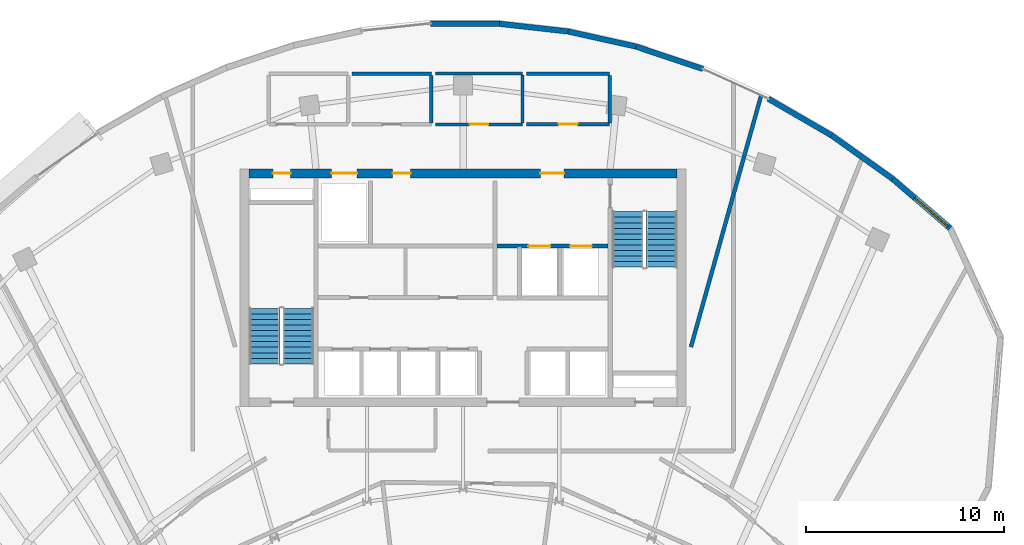
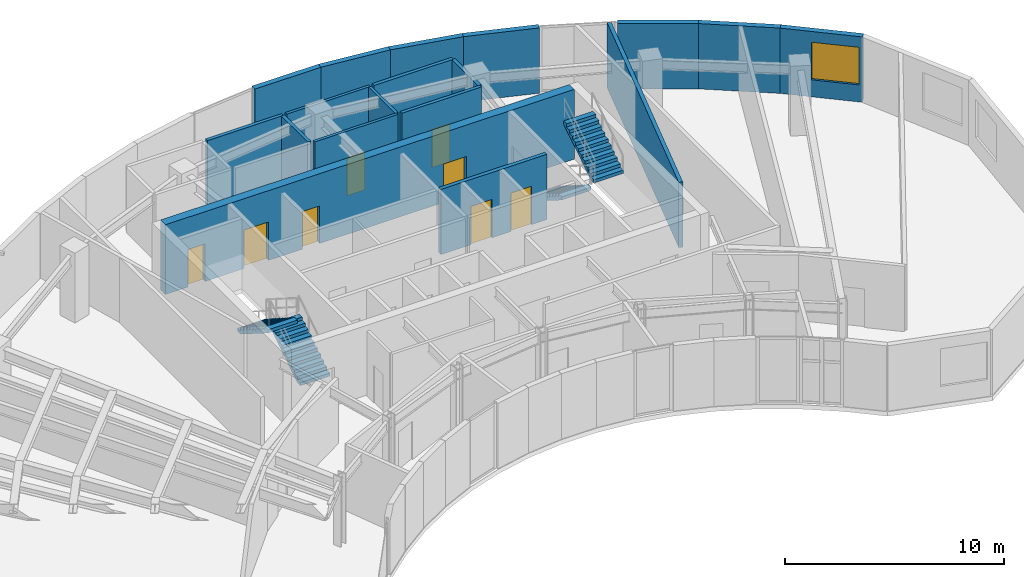
# One storey, part 10 of 12: 18 walls, 8 doors, 4 stair flights, 1 window, 9 openings, 2 elements without a shape of their own.
"""IFC4 building model written with IfcOpenShell, lengths in metres."""

from ifc_helpers import new_model, si_unit, direction, frame, frame_2d, origin, place, context, subcontext, project, spatial, polyline, rectangle, outline, extrude, source, transform, mapped, material, layer, layer_set, type_object, type_shapes, element, fill, aggregate, save


model = new_model("IFC4")

# Units and contexts
model_context = context("Model", 3, precision=1e-05, world=origin(), true_north=direction((0.0, 1.0)))
body_context = subcontext(model_context, "Body", "Model", "MODEL_VIEW")
ifc_project = project(units=[si_unit("LENGTHUNIT", "METRE"), si_unit("AREAUNIT", "SQUARE_METRE"), si_unit("VOLUMEUNIT", "CUBIC_METRE"), si_unit("PLANEANGLEUNIT", "RADIAN"), si_unit("MASSUNIT", "GRAM", prefix="KILO")], contexts=[model_context])

# Site, building, storey
site_placement = place(None, origin())
site = spatial("IfcSite", under=ifc_project, at=site_placement, CompositionType="ELEMENT")
building_placement = place(site_placement, origin())
building = spatial("IfcBuilding", under=site, at=building_placement, Name="Breltana Convention Tower", CompositionType="ELEMENT")
storey_placement = place(building_placement, frame((0.0, 0.0, 246.89990234375)))
storey = spatial("IfcBuildingStorey", under=building, at=storey_placement, Name="L60", CompositionType="ELEMENT", Elevation=246.89990234375)

# Wall, openings, doors
ifc_material_1 = material(Name="Concrete C60/75", Category="concrete")
ifc_layer_1 = layer(ifc_material_1, 0.449951171875, Name="Concrete C60/75")
ifc_layer_set_1 = layer_set([ifc_layer_1], Name="Concrete C60/75")
wall_type_1 = type_object("IfcWallType", Name="SW-CORE-450", PredefinedType="SHEAR", material=ifc_layer_set_1)
shared_shape_1 = source(origin(), body_context, "Body", "SweptSolid", [
    extrude(rectangle(XDim=21.60009765625, YDim=0.449951171875, at=frame_2d((10.800048828125, 0.0))), origin(), (0.0, 0.0, 1.0), 3.900146484375),
])
wall_1_placement = place(storey_placement, frame((37.199951171875, 71.97509765625, 0.0), z_axis=(0.0, 0.0, 1.0), x_axis=(1.0, 0.0, 0.0)))
wall_1 = element("IfcWall", 1, at=wall_1_placement, inside=storey, type_object=wall_type_1, Name="L60 North Core Shear Wall", PredefinedType="SHEAR", context=body_context, shape_type="MappedRepresentation", body=[
    mapped(shared_shape_1, transform((0.0, 0.0, 0.0), scale=1.0)),
])
opening_1_placement = place(wall_1_placement, frame((1.199951171875, 0.0, 0.0)))
opening_1 = element("IfcOpeningElement", 2, at=opening_1_placement, cuts=wall_1, Name="Opening D-18", PredefinedType="OPENING", context=body_context, shape_type="SweptSolid", body=[
    extrude(rectangle(XDim=0.89990234375, YDim=2.10009765625, at=frame_2d((0.449951171875, 1.050048828125))), frame((0.0, 0.23486328125, 0.0), z_axis=(0.0, -1.0, 0.0), x_axis=(1.0, 0.0, 0.0)), (0.0, 0.0, 1.0), 0.469970703125),
])
opening_2_placement = place(wall_1_placement, frame((14.699951171875, 0.0, 0.0)))
opening_2 = element("IfcOpeningElement", 3, at=opening_2_placement, cuts=wall_1, Name="Opening D-09", PredefinedType="OPENING", context=body_context, shape_type="SweptSolid", body=[
    extrude(rectangle(XDim=1.199951171875, YDim=2.14990234375, at=frame_2d((0.60009765625, 1.074951171875))), frame((0.0, 0.23486328125, 0.0), z_axis=(0.0, -1.0, 0.0), x_axis=(1.0, 0.0, 0.0)), (0.0, 0.0, 1.0), 0.469970703125),
])
opening_3_placement = place(wall_1_placement, frame((4.14990234375, 0.0, 0.0)))
opening_3 = element("IfcOpeningElement", 4, at=opening_3_placement, cuts=wall_1, Name="Opening LD-01", PredefinedType="OPENING", context=body_context, shape_type="SweptSolid", body=[
    extrude(rectangle(XDim=1.300048828125, YDim=2.14990234375, at=frame_2d((0.64990234375, 1.074951171875))), frame((0.0, 0.23486328125, 0.0), z_axis=(0.0, -1.0, 0.0), x_axis=(1.0, 0.0, 0.0)), (0.0, 0.0, 1.0), 0.469970703125),
])
opening_4_placement = place(wall_1_placement, frame((7.25, 0.0, 0.0)))
opening_4 = element("IfcOpeningElement", 5, at=opening_4_placement, cuts=wall_1, Name="Opening D-18", PredefinedType="OPENING", context=body_context, shape_type="SweptSolid", body=[
    extrude(rectangle(XDim=0.89990234375, YDim=2.10009765625, at=frame_2d((0.449951171875, 1.050048828125))), frame((0.0, 0.23486328125, 0.0), z_axis=(0.0, -1.0, 0.0), x_axis=(1.0, 0.0, 0.0)), (0.0, 0.0, 1.0), 0.469970703125),
])
ifc_material_2 = material(Name="Steel Riser Fire Door", Category="steel")
door_type_1 = type_object("IfcDoorType", Name="DR-FD60-900", OperationType="NOTDEFINED", PredefinedType="DOOR", material=ifc_material_2)
shared_shape_2 = source(origin(), body_context, "Body", "SweptSolid", [
    extrude(rectangle(XDim=0.89990234375, YDim=2.10009765625, at=frame_2d((0.449951171875, 1.050048828125))), frame((0.0, 0.02490234375, 0.0), z_axis=(0.0, -1.0, 0.0), x_axis=(1.0, 0.0, 0.0)), (0.0, 0.0, 1.0), 0.050048828125),
])
type_shapes(door_type_1, [shared_shape_2])
door_1_placement = place(opening_1_placement, origin())
door_1 = element("IfcDoor", 6, at=door_1_placement, inside=storey, type_object=door_type_1, Name="L60 Core Riser Access Door D-L60-RS1", OperationType="SINGLE_SWING_LEFT", OverallHeight=2.10009765625, OverallWidth=0.89990234375, PredefinedType="DOOR", context=body_context, shape_type="MappedRepresentation", body=[
    mapped(shared_shape_2, transform((0.0, 0.0, 0.0), scale=1.0)),
])
fill(opening_1, door_1)
door_2_placement = place(opening_4_placement, origin())
door_2 = element("IfcDoor", 7, at=door_2_placement, inside=storey, type_object=door_type_1, Name="L60 interior door D-L60-CRA1", OperationType="SINGLE_SWING_RIGHT", OverallHeight=2.10009765625, OverallWidth=0.89990234375, PredefinedType="DOOR", context=body_context, shape_type="MappedRepresentation", body=[
    mapped(shared_shape_2, transform((0.0, 0.0, 0.0), scale=1.0)),
])
fill(opening_4, door_2)
ifc_material_3 = material(Name="Steel Fire Lobby Door", Category="steel")
door_type_2 = type_object("IfcDoorType", Name="DR-FD120-1200", OperationType="NOTDEFINED", PredefinedType="DOOR", material=ifc_material_3)
shared_shape_3 = source(origin(), body_context, "Body", "SweptSolid", [
    extrude(rectangle(XDim=1.199951171875, YDim=2.14990234375, at=frame_2d((0.60009765625, 1.074951171875))), frame((0.0, 0.02490234375, 0.0), z_axis=(0.0, -1.0, 0.0), x_axis=(1.0, 0.0, 0.0)), (0.0, 0.0, 1.0), 0.050048828125),
])
type_shapes(door_type_2, [shared_shape_3])
door_3_placement = place(opening_2_placement, origin())
door_3 = element("IfcDoor", 8, at=door_3_placement, inside=storey, type_object=door_type_2, Name="L60 interior door D-L60-FFL-N", OperationType="SINGLE_SWING_RIGHT", OverallHeight=2.14990234375, OverallWidth=1.199951171875, PredefinedType="DOOR", context=body_context, shape_type="MappedRepresentation", body=[
    mapped(shared_shape_3, transform((0.0, 0.0, 0.0), scale=1.0)),
])
fill(opening_2, door_3)
ifc_material_4 = material(Name="Stainless Steel Brushed", Category="steel")
door_type_3 = type_object("IfcDoorType", Name="DR-LD-SRV-1300", OperationType="DOUBLE_DOOR_SLIDING", PredefinedType="DOOR", material=ifc_material_4)
shared_shape_4 = source(origin(), body_context, "Body", "SweptSolid", [
    extrude(rectangle(XDim=1.300048828125, YDim=2.14990234375, at=frame_2d((0.64990234375, 1.074951171875))), frame((0.0, 0.02490234375, 0.0), z_axis=(0.0, -1.0, 0.0), x_axis=(1.0, 0.0, 0.0)), (0.0, 0.0, 1.0), 0.050048828125),
])
type_shapes(door_type_3, [shared_shape_4])
door_4_placement = place(opening_3_placement, origin())
door_4 = element("IfcDoor", 9, at=door_4_placement, inside=storey, type_object=door_type_3, Name="L60 Lift Landing Door D-L60-LD-SV1", OperationType="DOUBLE_DOOR_SLIDING", OverallHeight=2.14990234375, OverallWidth=1.300048828125, PredefinedType="DOOR", context=body_context, shape_type="MappedRepresentation", body=[
    mapped(shared_shape_4, transform((0.0, 0.0, 0.0), scale=1.0)),
])
fill(opening_3, door_4)

# Walls
ifc_material_5 = material(Name="Limestone Buff Insulated Wall", Category="masonry")
ifc_layer_2 = layer(ifc_material_5, 0.280029296875, Name="Limestone Buff Insulated Wall")
ifc_layer_set_2 = layer_set([ifc_layer_2], Name="Limestone Buff Insulated Wall")
wall_type_2 = type_object("IfcWallType", Name="WL-EXT-NOSE-280", PredefinedType="SOLIDWALL", material=ifc_layer_set_2)
shared_shape_5 = source(origin(), body_context, "Body", "SweptSolid", [
    extrude(rectangle(XDim=3.477294921875, YDim=0.280029296875, at=frame_2d((1.73876953125, 0.0))), origin(), (0.0, 0.0, 1.0), 3.650146484375),
])
wall_2_placement = place(storey_placement, frame((46.354736328125, 79.531494140625, 0.0), z_axis=(0.0, 0.0, 1.0), x_axis=(0.999995652268, -0.002948804142, 0.0)))
element("IfcWall", 10, at=wall_2_placement, inside=storey, type_object=wall_type_2, Name="L60 curved limestone nose wall E28", PredefinedType="SOLIDWALL", context=body_context, shape_type="MappedRepresentation", body=[
    mapped(shared_shape_5, transform((0.0, 0.0, 0.0), scale=1.0)),
])
shared_shape_6 = source(origin(), body_context, "Body", "SweptSolid", [
    extrude(rectangle(XDim=3.514892578125, YDim=0.280029296875, at=frame_2d((1.75732421875, 0.0))), origin(), (0.0, 0.0, 1.0), 3.650146484375),
])
wall_3_placement = place(storey_placement, frame((53.297607421875, 79.13330078125, 0.0), z_axis=(0.0, 0.0, 1.0), x_axis=(0.976144550296, -0.217121663884, 0.0)))
element("IfcWall", 11, at=wall_3_placement, inside=storey, type_object=wall_type_2, Name="L60 curved limestone nose wall E30", PredefinedType="SOLIDWALL", context=body_context, shape_type="MappedRepresentation", body=[
    mapped(shared_shape_6, transform((0.0, 0.0, 0.0), scale=1.0)),
])
shared_shape_7 = source(origin(), body_context, "Body", "SweptSolid", [
    extrude(rectangle(XDim=3.559326171875, YDim=0.280029296875, at=frame_2d((1.77978515625, 0.0))), origin(), (0.0, 0.0, 1.0), 3.650146484375),
])
wall_4_placement = place(storey_placement, frame((56.728759765625, 78.3701171875, 0.0), z_axis=(0.0, 0.0, 1.0), x_axis=(0.947933000453, -0.31846982063, 0.0)))
element("IfcWall", 12, at=wall_4_placement, inside=storey, type_object=wall_type_2, Name="L60 curved limestone nose wall E31", PredefinedType="SOLIDWALL", context=body_context, shape_type="MappedRepresentation", body=[
    mapped(shared_shape_7, transform((0.0, 0.0, 0.0), scale=1.0)),
])
shared_shape_8 = source(origin(), body_context, "Body", "SweptSolid", [
    extrude(rectangle(XDim=3.69189453125, YDim=0.280029296875, at=frame_2d((1.845947265625, 0.0))), origin(), (0.0, 0.0, 1.0), 3.650146484375),
])
wall_5_placement = place(storey_placement, frame((63.398193359375, 75.73974609375, 0.0), z_axis=(0.0, 0.0, 1.0), x_axis=(0.86534327136, -0.501179631181, 0.0)))
element("IfcWall", 13, at=wall_5_placement, inside=storey, type_object=wall_type_2, Name="L60 curved limestone nose wall E32", PredefinedType="SOLIDWALL", context=body_context, shape_type="MappedRepresentation", body=[
    mapped(shared_shape_8, transform((0.0, 0.0, 0.0), scale=1.0)),
])

# Wall, opening, window
shared_shape_9 = source(origin(), body_context, "Body", "SweptSolid", [
    extrude(rectangle(XDim=3.833984375, YDim=0.280029296875, at=frame_2d((1.9169921875, 0.0))), origin(), (0.0, 0.0, 1.0), 3.650146484375),
])
wall_6_placement = place(storey_placement, frame((69.66650390625, 71.697265625, 0.0), z_axis=(0.0, 0.0, 1.0), x_axis=(0.75839292431, -0.651797646787, 0.0)))
wall_6 = element("IfcWall", 14, at=wall_6_placement, inside=storey, type_object=wall_type_2, Name="L60 curved limestone nose wall E34", PredefinedType="SOLIDWALL", context=body_context, shape_type="MappedRepresentation", body=[
    mapped(shared_shape_9, transform((0.0, 0.0, 0.0), scale=1.0)),
])
opening_5_placement = place(wall_6_placement, frame((1.473876953125, 0.0, 0.949951171875)))
opening_5 = element("IfcOpeningElement", 15, at=opening_5_placement, cuts=wall_6, Name="Opening W-03", PredefinedType="OPENING", context=body_context, shape_type="SweptSolid", body=[
    extrude(rectangle(XDim=2.199951171875, YDim=2.10009765625, at=frame_2d((1.10009765625, 1.050048828125))), frame((0.0, 0.14990234375, 0.0), z_axis=(0.0, -1.0, 0.0), x_axis=(1.0, 0.0, 0.0)), (0.0, 0.0, 1.0), 0.300048828125),
])
ifc_material_6 = material(Name="Glass Low-E Insulated Window", Category="glass")
window_type = type_object("IfcWindowType", Name="WN-NOSE-2200X2100", PartitioningType="TRIPLE_PANEL_VERTICAL", PredefinedType="WINDOW", material=ifc_material_6)
shared_shape_10 = source(origin(), body_context, "Body", "SweptSolid", [
    extrude(rectangle(XDim=2.199951171875, YDim=2.10009765625, at=frame_2d((1.10009765625, 1.050048828125))), frame((0.0, 0.030029296875, 0.0), z_axis=(0.0, -1.0, 0.0), x_axis=(1.0, 0.0, 0.0)), (0.0, 0.0, 1.0), 0.06005859375),
])
type_shapes(window_type, [shared_shape_10])
window_placement = place(opening_5_placement, origin())
window = element("IfcWindow", 16, at=window_placement, inside=storey, type_object=window_type, Name="L60 nose window E34", OverallHeight=2.10009765625, OverallWidth=2.199951171875, PartitioningType="TRIPLE_PANEL_VERTICAL", PredefinedType="WINDOW", context=body_context, shape_type="MappedRepresentation", body=[
    mapped(shared_shape_10, transform((0.0, 0.0, 0.0), scale=1.0)),
])
fill(opening_5, window)

# Walls
shared_shape_11 = source(origin(), body_context, "Body", "SweptSolid", [
    extrude(rectangle(XDim=3.4873046875, YDim=0.280029296875, at=frame_2d((1.74365234375, 0.0))), origin(), (0.0, 0.0, 1.0), 3.650146484375),
])
wall_7_placement = place(storey_placement, frame((49.83203125, 79.521240234375, 0.0), z_axis=(0.0, 0.0, 1.0), x_axis=(0.993792900103, -0.111245996355, 0.0)))
element("IfcWall", 17, at=wall_7_placement, inside=storey, type_object=wall_type_2, Name="L60 curved limestone nose wall E29", PredefinedType="SOLIDWALL", context=body_context, shape_type="MappedRepresentation", body=[
    mapped(shared_shape_11, transform((0.0, 0.0, 0.0), scale=1.0)),
])
shared_shape_12 = source(origin(), body_context, "Body", "SweptSolid", [
    extrude(rectangle(XDim=3.775146484375, YDim=0.280029296875, at=frame_2d((1.8876953125, 0.0))), origin(), (0.0, 0.0, 1.0), 3.650146484375),
])
wall_8_placement = place(storey_placement, frame((66.593017578125, 73.889404296875, 0.0), z_axis=(0.0, 0.0, 1.0), x_axis=(0.814135281578, -0.580675247699, 0.0)))
element("IfcWall", 18, at=wall_8_placement, inside=storey, type_object=wall_type_2, Name="L60 curved limestone nose wall E33", PredefinedType="SOLIDWALL", context=body_context, shape_type="MappedRepresentation", body=[
    mapped(shared_shape_12, transform((0.0, 0.0, 0.0), scale=1.0)),
])

# Wall, openings, doors
ifc_material_7 = material(Name="Autoclaved Aerated Concrete Block", Category="concrete")
ifc_layer_3 = layer(ifc_material_7, 0.199951171875, Name="Autoclaved Aerated Concrete Block")
ifc_layer_set_3 = layer_set([ifc_layer_3], Name="Autoclaved Aerated Concrete Block")
wall_type_3 = type_object("IfcWallType", Name="WL-SHAFT-200", PredefinedType="SOLIDWALL", material=ifc_layer_set_3)
shared_shape_13 = source(origin(), body_context, "Body", "SweptSolid", [
    extrude(rectangle(XDim=5.6201171875, YDim=0.199951171875, at=frame_2d((2.81005859375, 0.0))), origin(), (0.0, 0.0, 1.0), 3.650146484375),
])
wall_9_placement = place(storey_placement, frame((49.699951171875, 68.300048828125, 0.0), z_axis=(0.0, 0.0, 1.0), x_axis=(1.0, 0.0, 0.0)))
wall_9 = element("IfcWall", 19, at=wall_9_placement, inside=storey, type_object=wall_type_3, Name="L60 interior partition W-L60-FFL-S", PredefinedType="SOLIDWALL", context=body_context, shape_type="MappedRepresentation", body=[
    mapped(shared_shape_13, transform((0.0, 0.0, 0.0), scale=1.0)),
])
opening_6_placement = place(wall_9_placement, frame((1.60009765625, 0.0, 0.0)))
opening_6 = element("IfcOpeningElement", 20, at=opening_6_placement, cuts=wall_9, Name="Opening LD-03", PredefinedType="OPENING", context=body_context, shape_type="SweptSolid", body=[
    extrude(rectangle(XDim=1.10009765625, YDim=2.14990234375, at=frame_2d((0.550048828125, 1.074951171875))), frame((0.0, 0.10986328125, 0.0), z_axis=(0.0, -1.0, 0.0), x_axis=(1.0, 0.0, 0.0)), (0.0, 0.0, 1.0), 0.219970703125),
])
opening_7_placement = place(wall_9_placement, frame((3.699951171875, 0.0, 0.0)))
opening_7 = element("IfcOpeningElement", 21, at=opening_7_placement, cuts=wall_9, Name="Opening LD-03", PredefinedType="OPENING", context=body_context, shape_type="SweptSolid", body=[
    extrude(rectangle(XDim=1.10009765625, YDim=2.14990234375, at=frame_2d((0.550048828125, 1.074951171875))), frame((0.0, 0.10986328125, 0.0), z_axis=(0.0, -1.0, 0.0), x_axis=(1.0, 0.0, 0.0)), (0.0, 0.0, 1.0), 0.219970703125),
])
door_type_4 = type_object("IfcDoorType", Name="DR-LD-FF-1100", OperationType="DOUBLE_DOOR_SLIDING", PredefinedType="DOOR", material=ifc_material_4)
shared_shape_14 = source(origin(), body_context, "Body", "SweptSolid", [
    extrude(rectangle(XDim=1.10009765625, YDim=2.14990234375, at=frame_2d((0.550048828125, 1.074951171875))), frame((0.0, 0.02490234375, 0.0), z_axis=(0.0, -1.0, 0.0), x_axis=(1.0, 0.0, 0.0)), (0.0, 0.0, 1.0), 0.050048828125),
])
type_shapes(door_type_4, [shared_shape_14])
door_5_placement = place(opening_6_placement, origin())
door_5 = element("IfcDoor", 22, at=door_5_placement, inside=storey, type_object=door_type_4, Name="L60 Lift Landing Door D-L60-LD-FL1", OperationType="DOUBLE_DOOR_SLIDING", OverallHeight=2.14990234375, OverallWidth=1.10009765625, PredefinedType="DOOR", context=body_context, shape_type="MappedRepresentation", body=[
    mapped(shared_shape_14, transform((0.0, 0.0, 0.0), scale=1.0)),
])
fill(opening_6, door_5)
door_6_placement = place(opening_7_placement, origin())
door_6 = element("IfcDoor", 23, at=door_6_placement, inside=storey, type_object=door_type_4, Name="L60 Lift Landing Door D-L60-LD-FL2", OperationType="DOUBLE_DOOR_SLIDING", OverallHeight=2.14990234375, OverallWidth=1.10009765625, PredefinedType="DOOR", context=body_context, shape_type="MappedRepresentation", body=[
    mapped(shared_shape_14, transform((0.0, 0.0, 0.0), scale=1.0)),
])
fill(opening_7, door_6)

# Walls
ifc_material_8 = material(Name="Moisture-Resistant Gypsum Chase Wall")
ifc_layer_4 = layer(ifc_material_8, 0.179931640625, Name="Moisture-Resistant Gypsum Chase Wall")
ifc_layer_set_4 = layer_set([ifc_layer_4], Name="Moisture-Resistant Gypsum Chase Wall")
wall_type_4 = type_object("IfcWallType", Name="WL-PLUMB-180", PredefinedType="PLUMBINGWALL", material=ifc_layer_set_4)
shared_shape_15 = source(origin(), body_context, "Body", "SweptSolid", [
    extrude(rectangle(XDim=4.0, YDim=0.179931640625, at=frame_2d((2.0, 0.0))), origin(), (0.0, 0.0, 1.0), 3.650146484375),
])
wall_10_placement = place(storey_placement, frame((42.39990234375, 77.0, 0.0), z_axis=(0.0, 0.0, 1.0), x_axis=(1.0, 0.0, 0.0)))
element("IfcWall", 24, at=wall_10_placement, inside=storey, type_object=wall_type_4, Name="L60 interior partition W-L60-WCF-N", PredefinedType="PLUMBINGWALL", context=body_context, shape_type="MappedRepresentation", body=[
    mapped(shared_shape_15, transform((0.0, 0.0, 0.0), scale=1.0)),
])
ifc_material_9 = material(Name="Cement Board Wet-Area Partition")
ifc_layer_5 = layer(ifc_material_9, 0.175048828125, Name="Cement Board Wet-Area Partition")
ifc_layer_set_5 = layer_set([ifc_layer_5], Name="Cement Board Wet-Area Partition")
wall_type_5 = type_object("IfcWallType", Name="WL-WET-175", PredefinedType="PARTITIONING", material=ifc_layer_set_5)
shared_shape_16 = source(origin(), body_context, "Body", "SweptSolid", [
    extrude(rectangle(XDim=2.402587890625, YDim=0.175048828125, at=frame_2d((1.201171875, 0.0))), origin(), (0.0, 0.0, 1.0), 3.650146484375),
])
for number, where, z_axis, x_axis, name in (
    (25, (46.39990234375, 74.518798828125, 0.0), (0.0, 0.0, 1.0), (0.0, 1.0, 0.0), "L60 interior partition W-L60-WCF-E"),
    (26, (55.39990234375, 74.518798828125, 0.0), (0.0, 0.0, 1.0), (0.0, 1.0, 0.0), "L60 interior partition W-L60-WCA-E"),
):
    element("IfcWall", number, at=place(storey_placement, frame(where, z_axis=z_axis, x_axis=x_axis)), inside=storey, type_object=wall_type_5, Name=name, PredefinedType="PARTITIONING", context=body_context, shape_type="MappedRepresentation", body=[
        mapped(shared_shape_16, transform((0.0, 0.0, 0.0), scale=1.0)),
    ])

# Wall, opening, door
ifc_material_10 = material(Name="Gypsum Acoustic Drywall Partition")
ifc_layer_6 = layer(ifc_material_10, 0.14990234375, Name="Gypsum Acoustic Drywall Partition")
ifc_layer_set_6 = layer_set([ifc_layer_6], Name="Gypsum Acoustic Drywall Partition")
wall_type_6 = type_object("IfcWallType", Name="WL-PART-150", PredefinedType="PARTITIONING", material=ifc_layer_set_6)
shared_shape_17 = source(origin(), body_context, "Body", "SweptSolid", [
    extrude(rectangle(XDim=4.39990234375, YDim=0.14990234375, at=frame_2d((2.199951171875, 0.0))), origin(), (0.0, 0.0, 1.0), 3.650146484375),
])
wall_11_placement = place(storey_placement, frame((46.60009765625, 74.43994140625, 0.0), z_axis=(0.0, 0.0, 1.0), x_axis=(1.0, 0.0, 0.0)))
wall_11 = element("IfcWall", 27, at=wall_11_placement, inside=storey, type_object=wall_type_6, Name="L60 interior partition W-L60-PNT-S", PredefinedType="PARTITIONING", context=body_context, shape_type="MappedRepresentation", body=[
    mapped(shared_shape_17, transform((0.0, 0.0, 0.0), scale=1.0)),
])
opening_8_placement = place(wall_11_placement, frame((1.72509765625, 0.0, 0.0)))
opening_8 = element("IfcOpeningElement", 28, at=opening_8_placement, cuts=wall_11, Name="Opening D-17", PredefinedType="OPENING", context=body_context, shape_type="SweptSolid", body=[
    extrude(rectangle(XDim=0.949951171875, YDim=2.10009765625, at=frame_2d((0.47509765625, 1.050048828125))), frame((0.0, 0.0849609375, 0.0), z_axis=(0.0, -1.0, 0.0), x_axis=(1.0, 0.0, 0.0)), (0.0, 0.0, 1.0), 0.169921875),
])
ifc_material_11 = material(Name="Timber Oak Veneer Door", Category="wood")
door_type_5 = type_object("IfcDoorType", Name="DR-INT-950", OperationType="NOTDEFINED", PredefinedType="DOOR", material=ifc_material_11)
shared_shape_18 = source(origin(), body_context, "Body", "SweptSolid", [
    extrude(rectangle(XDim=0.949951171875, YDim=2.10009765625, at=frame_2d((0.47509765625, 1.050048828125))), frame((0.0, 0.02490234375, 0.0), z_axis=(0.0, -1.0, 0.0), x_axis=(1.0, 0.0, 0.0)), (0.0, 0.0, 1.0), 0.050048828125),
])
type_shapes(door_type_5, [shared_shape_18])
door_7_placement = place(opening_8_placement, origin())
door_7 = element("IfcDoor", 29, at=door_7_placement, inside=storey, type_object=door_type_5, Name="L60 interior door D-L60-PNT", OperationType="SINGLE_SWING_RIGHT", OverallHeight=2.10009765625, OverallWidth=0.949951171875, PredefinedType="DOOR", context=body_context, shape_type="MappedRepresentation", body=[
    mapped(shared_shape_18, transform((0.0, 0.0, 0.0), scale=1.0)),
])
fill(opening_8, door_7)

# Walls
wall_12_placement = place(storey_placement, frame((46.60009765625, 77.0, 0.0), z_axis=(0.0, 0.0, 1.0), x_axis=(1.0, 0.0, 0.0)))
element("IfcWall", 30, at=wall_12_placement, inside=storey, type_object=wall_type_6, Name="L60 interior partition W-L60-PNT-N", PredefinedType="PARTITIONING", context=body_context, shape_type="MappedRepresentation", body=[
    mapped(shared_shape_17, transform((0.0, 0.0, 0.0), scale=1.0)),
])
shared_shape_19 = source(origin(), body_context, "Body", "SweptSolid", [
    extrude(rectangle(XDim=2.425048828125, YDim=0.14990234375, at=frame_2d((1.21240234375, 0.0))), origin(), (0.0, 0.0, 1.0), 3.650146484375),
])
wall_13_placement = place(storey_placement, frame((51.0, 74.507568359375, 0.0), z_axis=(0.0, 0.0, 1.0), x_axis=(0.0, 1.0, 0.0)))
element("IfcWall", 31, at=wall_13_placement, inside=storey, type_object=wall_type_6, Name="L60 interior partition W-L60-PNT-E", PredefinedType="PARTITIONING", context=body_context, shape_type="MappedRepresentation", body=[
    mapped(shared_shape_19, transform((0.0, 0.0, 0.0), scale=1.0)),
])

# Wall, opening, door
shared_shape_20 = source(origin(), body_context, "Body", "SweptSolid", [
    extrude(rectangle(XDim=4.199951171875, YDim=0.175048828125, at=frame_2d((2.10009765625, 0.0))), origin(), (0.0, 0.0, 1.0), 3.650146484375),
])
wall_14_placement = place(storey_placement, frame((51.199951171875, 74.43994140625, 0.0), z_axis=(0.0, 0.0, 1.0), x_axis=(1.0, 0.0, 0.0)))
wall_14 = element("IfcWall", 32, at=wall_14_placement, inside=storey, type_object=wall_type_5, Name="L60 interior partition W-L60-WCA-S", PredefinedType="PARTITIONING", context=body_context, shape_type="MappedRepresentation", body=[
    mapped(shared_shape_20, transform((0.0, 0.0, 0.0), scale=1.0)),
])
opening_9_placement = place(wall_14_placement, frame((1.625, 0.0, 0.0)))
opening_9 = element("IfcOpeningElement", 33, at=opening_9_placement, cuts=wall_14, Name="Opening D-16", PredefinedType="OPENING", context=body_context, shape_type="SweptSolid", body=[
    extrude(rectangle(XDim=0.949951171875, YDim=2.1201171875, at=frame_2d((0.47509765625, 1.06005859375))), frame((0.0, 0.09765625, 0.0), z_axis=(0.0, -1.0, 0.0), x_axis=(1.0, 0.0, 0.0)), (0.0, 0.0, 1.0), 0.195068359375),
])
ifc_material_12 = material(Name="Timber Laminate Accessible Door", Category="wood")
door_type_6 = type_object("IfcDoorType", Name="DR-ACC-950", OperationType="NOTDEFINED", PredefinedType="DOOR", material=ifc_material_12)
shared_shape_21 = source(origin(), body_context, "Body", "SweptSolid", [
    extrude(rectangle(XDim=0.949951171875, YDim=2.1201171875, at=frame_2d((0.47509765625, 1.06005859375))), frame((0.0, 0.02490234375, 0.0), z_axis=(0.0, -1.0, 0.0), x_axis=(1.0, 0.0, 0.0)), (0.0, 0.0, 1.0), 0.050048828125),
])
type_shapes(door_type_6, [shared_shape_21])
door_8_placement = place(opening_9_placement, origin())
door_8 = element("IfcDoor", 34, at=door_8_placement, inside=storey, type_object=door_type_6, Name="L60 interior door D-L60-WCA", OperationType="SINGLE_SWING_LEFT", OverallHeight=2.1201171875, OverallWidth=0.949951171875, PredefinedType="DOOR", context=body_context, shape_type="MappedRepresentation", body=[
    mapped(shared_shape_21, transform((0.0, 0.0, 0.0), scale=1.0)),
])
fill(opening_9, door_8)

# Walls
shared_shape_22 = source(origin(), body_context, "Body", "SweptSolid", [
    extrude(rectangle(XDim=4.199951171875, YDim=0.179931640625, at=frame_2d((2.10009765625, 0.0))), origin(), (0.0, 0.0, 1.0), 3.650146484375),
])
wall_15_placement = place(storey_placement, frame((51.199951171875, 77.0, 0.0), z_axis=(0.0, 0.0, 1.0), x_axis=(1.0, 0.0, 0.0)))
element("IfcWall", 35, at=wall_15_placement, inside=storey, type_object=wall_type_4, Name="L60 interior partition W-L60-WCA-N", PredefinedType="PLUMBINGWALL", context=body_context, shape_type="MappedRepresentation", body=[
    mapped(shared_shape_22, transform((0.0, 0.0, 0.0), scale=1.0)),
])
ifc_material_13 = material(Name="Gypsum Acoustic Hotel Wall")
ifc_layer_7 = layer(ifc_material_13, 0.195068359375, Name="Gypsum Acoustic Hotel Wall")
ifc_layer_set_7 = layer_set([ifc_layer_7], Name="Gypsum Acoustic Hotel Wall")
wall_type_7 = type_object("IfcWallType", Name="WL-HOTEL-200", PredefinedType="PARTITIONING", material=ifc_layer_set_7)
shared_shape_23 = source(origin(), body_context, "Body", "SweptSolid", [
    extrude(rectangle(XDim=13.1611328125, YDim=0.195068359375, at=frame_2d((6.58056640625, 0.0))), origin(), (0.0, 0.0, 1.0), 3.650146484375),
])
wall_16_placement = place(storey_placement, frame((59.5, 63.2158203125, 0.0), z_axis=(0.0, 0.0, 1.0), x_axis=(0.268752541286, 0.963209256368, 0.0)))
element("IfcWall", 36, at=wall_16_placement, inside=storey, type_object=wall_type_7, Name="L60 interior partition W-L60-EXER1-RA", PredefinedType="PARTITIONING", context=body_context, shape_type="MappedRepresentation", body=[
    mapped(shared_shape_23, transform((0.0, 0.0, 0.0), scale=1.0)),
])

# Stair, stair flights
ifc_material_14 = material(Name="Concrete C40/50", Category="concrete")
stair_type = type_object("IfcStairType", Name="ST-DOG-1560-R177", PredefinedType="HALF_TURN_STAIR", material=ifc_material_14)
stair_1_placement = place(storey_placement, origin())
stair_1 = element("IfcStair", 37, at=stair_1_placement, inside=storey, type_object=stair_type, Name="L60 Protected Core Exit Stair ST-1", PredefinedType="HALF_TURN_STAIR")
stair_flight_type = type_object("IfcStairFlightType", Name="STF-DOG-1560-N11-R177", PredefinedType="STRAIGHT", material=ifc_material_14)
stair_flight_1_placement = place(storey_placement, frame((39.68994140625, 62.360107421875, 0.0), z_axis=(0.0, 0.0, 1.0), x_axis=(0.0, 1.0, 0.0)))
stair_flight_1 = element("IfcStairFlight", 38, at=stair_flight_1_placement, type_object=stair_flight_type, Name="ST-1 flight 1", NumberOfRisers=11, NumberOfTreads=10, PredefinedType="STRAIGHT", RiserHeight=0.177272727, TreadLength=0.28, context=body_context, shape_type="SweptSolid", body=[
    extrude(outline(polyline([(0.0, 0.0), (0.0, 0.17724609375), (0.280029296875, 0.17724609375), (0.280029296875, 0.3544921875), (0.56005859375, 0.3544921875), (0.56005859375, 0.53173828125), (0.840087890625, 0.53173828125), (0.840087890625, 0.708984375), (1.1201171875, 0.708984375), (1.1201171875, 0.886474609375), (1.39990234375, 0.886474609375), (1.39990234375, 1.063720703125), (1.679931640625, 1.063720703125), (1.679931640625, 1.240966796875), (1.9599609375, 1.240966796875), (1.9599609375, 1.418212890625), (2.239990234375, 1.418212890625), (2.239990234375, 1.595458984375), (2.52001953125, 1.595458984375), (2.52001953125, 1.772705078125), (2.800048828125, 1.772705078125), (2.800048828125, 1.949951171875), (2.800048828125, 1.59521484375), (0.2802734375, 0.0), (0.0, 0.0)])), frame((0.0, 0.780029296875, 0.0), z_axis=(0.0, -1.0, 0.0), x_axis=(1.0, 0.0, 0.0)), (0.0, 0.0, 1.0), 1.56005859375),
])
stair_flight_2_placement = place(storey_placement, frame((37.97998046875, 65.159912109375, 1.9501953125), z_axis=(0.0, 0.0, 1.0), x_axis=(0.0, -1.0, 0.0)))
stair_flight_2 = element("IfcStairFlight", 39, at=stair_flight_2_placement, type_object=stair_flight_type, Name="ST-1 flight 2", NumberOfRisers=11, NumberOfTreads=10, PredefinedType="STRAIGHT", RiserHeight=0.177272727, TreadLength=0.28, context=body_context, shape_type="SweptSolid", body=[
    extrude(outline(polyline([(0.0, 0.0), (0.0, 0.17724609375), (0.280029296875, 0.17724609375), (0.280029296875, 0.3544921875), (0.56005859375, 0.3544921875), (0.56005859375, 0.53173828125), (0.840087890625, 0.53173828125), (0.840087890625, 0.708984375), (1.1201171875, 0.708984375), (1.1201171875, 0.886474609375), (1.39990234375, 0.886474609375), (1.39990234375, 1.063720703125), (1.679931640625, 1.063720703125), (1.679931640625, 1.240966796875), (1.9599609375, 1.240966796875), (1.9599609375, 1.418212890625), (2.239990234375, 1.418212890625), (2.239990234375, 1.595458984375), (2.52001953125, 1.595458984375), (2.52001953125, 1.772705078125), (2.800048828125, 1.772705078125), (2.800048828125, 1.949951171875), (2.800048828125, 1.59521484375), (0.2802734375, 0.0), (0.0, 0.0)])), frame((0.0, 0.780029296875, 0.0), z_axis=(0.0, -1.0, 0.0), x_axis=(1.0, 0.0, 0.0)), (0.0, 0.0, 1.0), 1.56005859375),
])
aggregate(stair_1, [stair_flight_1, stair_flight_2])

stair_2_placement = place(storey_placement, origin())
stair_2 = element("IfcStair", 40, at=stair_2_placement, inside=storey, type_object=stair_type, Name="L60 Protected Core Exit Stair ST-2", PredefinedType="HALF_TURN_STAIR")
stair_flight_3_placement = place(storey_placement, frame((56.31005859375, 70.0400390625, 0.0), z_axis=(0.0, 0.0, 1.0), x_axis=(0.0, -1.0, 0.0)))
stair_flight_3 = element("IfcStairFlight", 41, at=stair_flight_3_placement, type_object=stair_flight_type, Name="ST-2 flight 1", NumberOfRisers=11, NumberOfTreads=10, PredefinedType="STRAIGHT", RiserHeight=0.177272727, TreadLength=0.28, context=body_context, shape_type="SweptSolid", body=[
    extrude(outline(polyline([(0.0, 0.0), (0.0, 0.17724609375), (0.280029296875, 0.17724609375), (0.280029296875, 0.3544921875), (0.56005859375, 0.3544921875), (0.56005859375, 0.53173828125), (0.840087890625, 0.53173828125), (0.840087890625, 0.708984375), (1.1201171875, 0.708984375), (1.1201171875, 0.886474609375), (1.39990234375, 0.886474609375), (1.39990234375, 1.063720703125), (1.679931640625, 1.063720703125), (1.679931640625, 1.240966796875), (1.9599609375, 1.240966796875), (1.9599609375, 1.418212890625), (2.239990234375, 1.418212890625), (2.239990234375, 1.595458984375), (2.52001953125, 1.595458984375), (2.52001953125, 1.772705078125), (2.800048828125, 1.772705078125), (2.800048828125, 1.949951171875), (2.800048828125, 1.59521484375), (0.2802734375, 0.0), (0.0, 0.0)])), frame((0.0, 0.780029296875, 0.0), z_axis=(0.0, -1.0, 0.0), x_axis=(1.0, 0.0, 0.0)), (0.0, 0.0, 1.0), 1.56005859375),
])
stair_flight_4_placement = place(storey_placement, frame((58.02001953125, 67.239990234375, 1.9501953125), z_axis=(0.0, 0.0, 1.0), x_axis=(0.0, 1.0, 0.0)))
stair_flight_4 = element("IfcStairFlight", 42, at=stair_flight_4_placement, type_object=stair_flight_type, Name="ST-2 flight 2", NumberOfRisers=11, NumberOfTreads=10, PredefinedType="STRAIGHT", RiserHeight=0.177272727, TreadLength=0.28, context=body_context, shape_type="SweptSolid", body=[
    extrude(outline(polyline([(0.0, 0.0), (0.0, 0.17724609375), (0.280029296875, 0.17724609375), (0.280029296875, 0.3544921875), (0.56005859375, 0.3544921875), (0.56005859375, 0.53173828125), (0.840087890625, 0.53173828125), (0.840087890625, 0.708984375), (1.1201171875, 0.708984375), (1.1201171875, 0.886474609375), (1.39990234375, 0.886474609375), (1.39990234375, 1.063720703125), (1.679931640625, 1.063720703125), (1.679931640625, 1.240966796875), (1.9599609375, 1.240966796875), (1.9599609375, 1.418212890625), (2.239990234375, 1.418212890625), (2.239990234375, 1.595458984375), (2.52001953125, 1.595458984375), (2.52001953125, 1.772705078125), (2.800048828125, 1.772705078125), (2.800048828125, 1.949951171875), (2.800048828125, 1.59521484375), (0.2802734375, 0.0), (0.0, 0.0)])), frame((0.0, 0.780029296875, 0.0), z_axis=(0.0, -1.0, 0.0), x_axis=(1.0, 0.0, 0.0)), (0.0, 0.0, 1.0), 1.56005859375),
])
aggregate(stair_2, [stair_flight_3, stair_flight_4])

save(model, "model.ifc")
